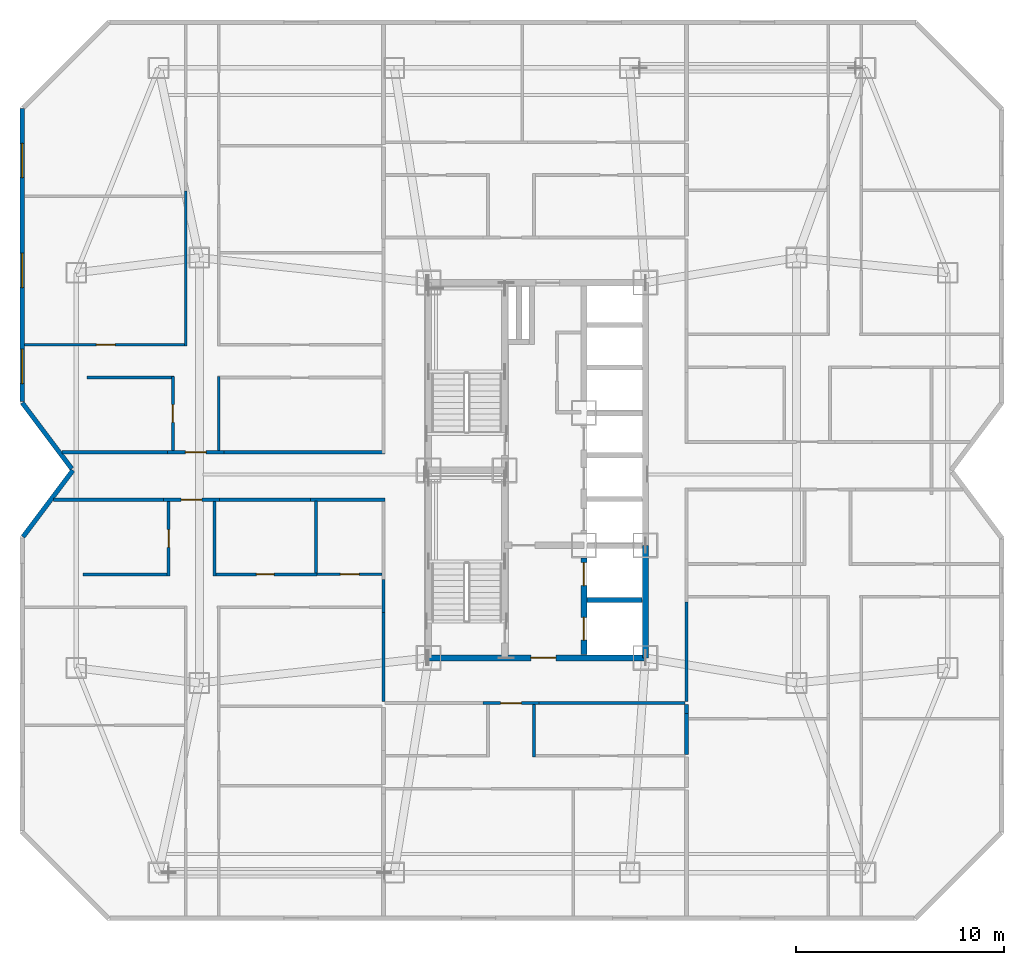
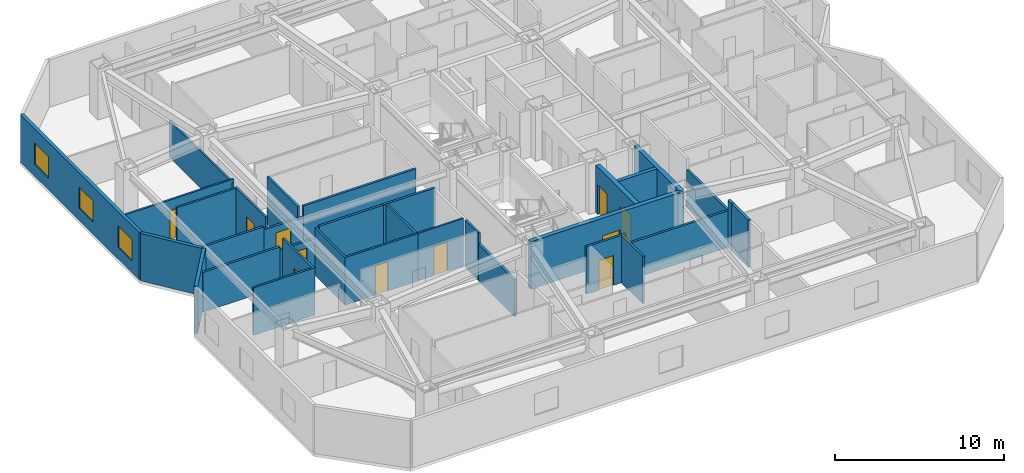
# One storey, part 5 of 10: 33 walls, 11 doors, 3 windows, 14 openings.
"""IFC4 building model written with IfcOpenShell, lengths in metres."""

from ifc_helpers import new_model, si_unit, direction, frame, frame_2d, origin, place, context, subcontext, project, spatial, rectangle, extrude, material, layer, layer_set, type_object, element, fill, save


model = new_model("IFC4")

# Units and contexts
model_context = context("Model", 3, precision=1e-05, world=origin(), true_north=direction((0.0, 1.0)))
body_context = subcontext(model_context, "Body", "Model", "MODEL_VIEW")
ifc_project = project(units=[si_unit("LENGTHUNIT", "METRE"), si_unit("AREAUNIT", "SQUARE_METRE"), si_unit("VOLUMEUNIT", "CUBIC_METRE"), si_unit("PLANEANGLEUNIT", "RADIAN"), si_unit("MASSUNIT", "GRAM", prefix="KILO")], contexts=[model_context])

# Site, building, storey
site_placement = place(None, origin())
site = spatial("IfcSite", under=ifc_project, at=site_placement, CompositionType="ELEMENT")
building_placement = place(site_placement, origin())
building = spatial("IfcBuilding", under=site, at=building_placement, Name="Khamvora Tower", CompositionType="ELEMENT")
storey_placement = place(building_placement, frame((0.0, 0.0, 94.60009765625)))
storey = spatial("IfcBuildingStorey", under=building, at=storey_placement, Name="L23", CompositionType="ELEMENT", Elevation=94.60009765625)

# Wall, opening, door
ifc_material_1 = material(Name="Concrete C50/60", Category="concrete")
ifc_layer_1 = layer(ifc_material_1, 0.300048828125)
ifc_layer_set_1 = layer_set([ifc_layer_1], Name="Concrete C50/60")
wall_type_1 = type_object("IfcWallType", Name="WAL-CORE-300", PredefinedType="SHEAR", material=ifc_layer_set_1)
wall_1_placement = place(storey_placement, frame((29.0, 19.0, 0.0), z_axis=(0.0, 0.0, 1.0), x_axis=(1.0, 0.0, 0.0)))
wall_1 = element("IfcWall", 1, at=wall_1_placement, inside=storey, type_object=wall_type_1, Name="L23 central core south wall", PredefinedType="SHEAR", context=body_context, shape_type="SweptSolid", body=[
    extrude(rectangle(XDim=10.39990234375, YDim=0.300048828125, at=frame_2d((5.199951171875, 0.0))), origin(), (0.0, 0.0, 1.0), 3.429931640625),
])
opening_1_placement = place(wall_1_placement, frame((4.89990234375, 0.0, 0.0)))
opening_1 = element("IfcOpeningElement", 2, at=opening_1_placement, cuts=wall_1, Name="Opening D-CR1", PredefinedType="OPENING", context=body_context, shape_type="SweptSolid", body=[
    extrude(rectangle(XDim=1.199951171875, YDim=2.14990234375, at=frame_2d((0.60009765625, 1.074951171875))), frame((0.0, 0.159912109375, 0.0), z_axis=(0.0, -1.0, 0.0), x_axis=(1.0, 0.0, 0.0)), (0.0, 0.0, 1.0), 0.320068359375),
])
ifc_material_2 = material(Name="Powder-Coated Steel and Hardwood Leaf", Category="steel")
door_type_1 = type_object("IfcDoorType", Name="DOR-CORR-1200", OperationType="NOTDEFINED", PredefinedType="DOOR", material=ifc_material_2)
door_1_placement = place(opening_1_placement, origin())
door_1 = element("IfcDoor", 3, at=door_1_placement, inside=storey, type_object=door_type_1, Name="L23 south core lobby to corridor fire door", OperationType="SINGLE_SWING_RIGHT", OverallHeight=2.14990234375, OverallWidth=1.199951171875, PredefinedType="DOOR", context=body_context, shape_type="SweptSolid", body=[
    extrude(rectangle(XDim=1.199951171875, YDim=2.14990234375, at=frame_2d((0.60009765625, 1.074951171875))), frame((0.0, 0.02490234375, 0.0), z_axis=(0.0, -1.0, 0.0), x_axis=(1.0, 0.0, 0.0)), (0.0, 0.0, 1.0), 0.050048828125),
])
fill(opening_1, door_1)

# Wall
wall_2_placement = place(storey_placement, frame((39.39990234375, 19.0, 0.0), z_axis=(0.0, 0.0, 1.0), x_axis=(0.0, 1.0, 0.0)))
element("IfcWall", 4, at=wall_2_placement, inside=storey, type_object=wall_type_1, Name="L23 central core east south wall", PredefinedType="SHEAR", context=body_context, shape_type="SweptSolid", body=[
    extrude(rectangle(XDim=5.39990234375, YDim=0.300048828125, at=frame_2d((2.699951171875, 0.0))), origin(), (0.0, 0.0, 1.0), 3.429931640625),
])

# Wall, openings, doors
wall_3_placement = place(storey_placement, frame((36.449951171875, 19.154052734375, 0.0), z_axis=(0.0, 0.0, 1.0), x_axis=(0.0, 1.0, 0.0)))
wall_3 = element("IfcWall", 5, at=wall_3_placement, inside=storey, type_object=wall_type_1, Name="L23 central core lift bank south wall", PredefinedType="SHEAR", context=body_context, shape_type="SweptSolid", body=[
    extrude(rectangle(XDim=4.64599609375, YDim=0.300048828125, at=frame_2d((2.322998046875, 0.0))), origin(), (0.0, 0.0, 1.0), 3.429931640625),
])
opening_2_placement = place(wall_3_placement, frame((0.696044921875, 0.0, 0.0)))
opening_2 = element("IfcOpeningElement", 6, at=opening_2_placement, cuts=wall_3, Name="Opening LD-FFL", PredefinedType="OPENING", context=body_context, shape_type="SweptSolid", body=[
    extrude(rectangle(XDim=1.10009765625, YDim=2.14990234375, at=frame_2d((0.550048828125, 1.074951171875))), frame((0.0, 0.159912109375, 0.0), z_axis=(0.0, -1.0, 0.0), x_axis=(1.0, 0.0, 0.0)), (0.0, 0.0, 1.0), 0.320068359375),
])
opening_3_placement = place(wall_3_placement, frame((3.31591796875, 0.0, 0.0)))
opening_3 = element("IfcOpeningElement", 7, at=opening_3_placement, cuts=wall_3, Name="Opening LD-FFL", PredefinedType="OPENING", context=body_context, shape_type="SweptSolid", body=[
    extrude(rectangle(XDim=1.10009765625, YDim=2.14990234375, at=frame_2d((0.550048828125, 1.074951171875))), frame((0.0, 0.159912109375, 0.0), z_axis=(0.0, -1.0, 0.0), x_axis=(1.0, 0.0, 0.0)), (0.0, 0.0, 1.0), 0.320068359375),
])
door_type_2 = type_object("IfcDoorType", Name="DOR-LIFT-1100", OperationType="SLIDING_TO_LEFT", PredefinedType="DOOR", material=ifc_material_2)
door_2_placement = place(opening_2_placement, origin())
door_2 = element("IfcDoor", 8, at=door_2_placement, inside=storey, type_object=door_type_2, Name="L23 lift landing sliding door FFL-01", OperationType="SLIDING_TO_LEFT", OverallHeight=2.14990234375, OverallWidth=1.10009765625, PredefinedType="DOOR", context=body_context, shape_type="SweptSolid", body=[
    extrude(rectangle(XDim=1.10009765625, YDim=2.14990234375, at=frame_2d((0.550048828125, 1.074951171875))), frame((0.0, 0.02490234375, 0.0), z_axis=(0.0, -1.0, 0.0), x_axis=(1.0, 0.0, 0.0)), (0.0, 0.0, 1.0), 0.050048828125),
])
fill(opening_2, door_2)
door_3_placement = place(opening_3_placement, origin())
door_3 = element("IfcDoor", 9, at=door_3_placement, inside=storey, type_object=door_type_2, Name="L23 lift landing sliding door FFL-02", OperationType="SLIDING_TO_LEFT", OverallHeight=2.14990234375, OverallWidth=1.10009765625, PredefinedType="DOOR", context=body_context, shape_type="SweptSolid", body=[
    extrude(rectangle(XDim=1.10009765625, YDim=2.14990234375, at=frame_2d((0.550048828125, 1.074951171875))), frame((0.0, 0.02490234375, 0.0), z_axis=(0.0, -1.0, 0.0), x_axis=(1.0, 0.0, 0.0)), (0.0, 0.0, 1.0), 0.050048828125),
])
fill(opening_3, door_3)

# Walls
ifc_material_3 = material(Name="Fire-Rated Drywall and Steel Stud", Category="steel")
ifc_layer_2 = layer(ifc_material_3, 0.14990234375)
ifc_layer_set_2 = layer_set([ifc_layer_2], Name="Fire-Rated Drywall and Steel Stud")
wall_type_2 = type_object("IfcWallType", Name="WAL-CORR-150", PredefinedType="STANDARD", material=ifc_layer_set_2)
wall_4_placement = place(storey_placement, frame((26.89794921875, 26.5849609375, 0.0), z_axis=(0.0, 0.0, 1.0), x_axis=(-1.0, 0.0, 0.0)))
element("IfcWall", 10, at=wall_4_placement, inside=storey, type_object=wall_type_2, Name="L23 interior partition wall 005", PredefinedType="STANDARD", context=body_context, shape_type="SweptSolid", body=[
    extrude(rectangle(XDim=3.556884765625, YDim=0.14990234375, at=frame_2d((1.7783203125, 0.0))), origin(), (0.0, 0.0, 1.0), 3.429931640625),
])
wall_5_placement = place(storey_placement, frame((26.8349609375, 21.176025390625, 0.0), z_axis=(0.0, 0.0, 1.0), x_axis=(0.0, 1.0, 0.0)))
element("IfcWall", 11, at=wall_5_placement, inside=storey, type_object=wall_type_2, Name="L23 interior partition wall 006", PredefinedType="STANDARD", context=body_context, shape_type="SweptSolid", body=[
    extrude(rectangle(XDim=1.580078125, YDim=0.14990234375, at=frame_2d((0.7900390625, 0.0))), origin(), (0.0, 0.0, 1.0), 3.429931640625),
])

# Wall, opening, door
wall_6_placement = place(storey_placement, frame((18.97509765625, 26.5849609375, 0.0), z_axis=(0.0, 0.0, 1.0), x_axis=(-1.0, 0.0, 0.0)))
wall_6 = element("IfcWall", 12, at=wall_6_placement, inside=storey, type_object=wall_type_2, Name="L23 interior partition wall 007", PredefinedType="STANDARD", context=body_context, shape_type="SweptSolid", body=[
    extrude(rectangle(XDim=2.69921875, YDim=0.14990234375, at=frame_2d((1.349609375, 0.0))), origin(), (0.0, 0.0, 1.0), 2.64697265625),
])
opening_4_placement = place(wall_6_placement, frame((0.84912109375, 0.0, 0.0)))
opening_4 = element("IfcOpeningElement", 13, at=opening_4_placement, cuts=wall_6, Name="Opening D-U1", PredefinedType="OPENING", context=body_context, shape_type="SweptSolid", body=[
    extrude(rectangle(XDim=1.0, YDim=2.14990234375, at=frame_2d((0.5, 1.074951171875))), frame((0.0, 0.0849609375, 0.0), z_axis=(0.0, -1.0, 0.0), x_axis=(1.0, 0.0, 0.0)), (0.0, 0.0, 1.0), 0.169921875),
])
door_type_3 = type_object("IfcDoorType", Name="DOR-UNIT-1000", OperationType="NOTDEFINED", PredefinedType="DOOR", material=ifc_material_2)
door_4_placement = place(opening_4_placement, origin())
door_4 = element("IfcDoor", 14, at=door_4_placement, inside=storey, type_object=door_type_3, Name="L23 interior door COR-23WAH", OperationType="SINGLE_SWING_LEFT", OverallHeight=2.14990234375, OverallWidth=1.0, PredefinedType="DOOR", context=body_context, shape_type="SweptSolid", body=[
    extrude(rectangle(XDim=1.0, YDim=2.14990234375, at=frame_2d((0.5, 1.074951171875))), frame((0.0, 0.02490234375, 0.0), z_axis=(0.0, -1.0, 0.0), x_axis=(1.0, 0.0, 0.0)), (0.0, 0.0, 1.0), 0.050048828125),
])
fill(opening_4, door_4)

# Walls
wall_7_placement = place(storey_placement, frame((16.27587890625, 26.5849609375, 0.0), z_axis=(0.0, 0.0, 1.0), x_axis=(-1.0, 0.0, 0.0)))
element("IfcWall", 15, at=wall_7_placement, inside=storey, type_object=wall_type_2, Name="L23 interior partition wall 008", PredefinedType="STANDARD", context=body_context, shape_type="SweptSolid", body=[
    extrude(rectangle(XDim=5.27197265625, YDim=0.14990234375, at=frame_2d((2.635986328125, 0.0))), origin(), (0.0, 0.0, 1.0), 2.8759765625),
])
wall_8_placement = place(storey_placement, frame((23.341064453125, 26.5849609375, 0.0), z_axis=(0.0, 0.0, 1.0), x_axis=(-1.0, 0.0, 0.0)))
element("IfcWall", 16, at=wall_8_placement, inside=storey, type_object=wall_type_2, Name="L23 interior partition wall 009", PredefinedType="STANDARD", context=body_context, shape_type="SweptSolid", body=[
    extrude(rectangle(XDim=4.365966796875, YDim=0.14990234375, at=frame_2d((2.18310546875, 0.0))), origin(), (0.0, 0.0, 1.0), 3.429931640625),
])
wall_9_placement = place(storey_placement, frame((26.8349609375, 16.89990234375, 0.0), z_axis=(0.0, 0.0, 1.0), x_axis=(0.0, 1.0, 0.0)))
element("IfcWall", 17, at=wall_9_placement, inside=storey, type_object=wall_type_2, Name="L23 interior partition wall 010", PredefinedType="STANDARD", context=body_context, shape_type="SweptSolid", body=[
    extrude(rectangle(XDim=4.276123046875, YDim=0.14990234375, at=frame_2d((2.13818359375, 0.0))), origin(), (0.0, 0.0, 1.0), 2.64697265625),
])

# Wall, opening, door
wall_10_placement = place(storey_placement, frame((16.48291015625, 28.864990234375, 0.0), z_axis=(0.0, 0.0, 1.0), x_axis=(1.0, 0.0, 0.0)))
wall_10 = element("IfcWall", 18, at=wall_10_placement, inside=storey, type_object=wall_type_2, Name="L23 interior partition wall 011", PredefinedType="STANDARD", context=body_context, shape_type="SweptSolid", body=[
    extrude(rectangle(XDim=2.697998046875, YDim=0.14990234375, at=frame_2d((1.34912109375, 0.0))), origin(), (0.0, 0.0, 1.0), 2.64697265625),
])
opening_5_placement = place(wall_10_placement, frame((0.84912109375, 0.0, 0.0)))
opening_5 = element("IfcOpeningElement", 19, at=opening_5_placement, cuts=wall_10, Name="Opening D-U1", PredefinedType="OPENING", context=body_context, shape_type="SweptSolid", body=[
    extrude(rectangle(XDim=1.0, YDim=2.14990234375, at=frame_2d((0.5, 1.074951171875))), frame((0.0, 0.0849609375, 0.0), z_axis=(0.0, -1.0, 0.0), x_axis=(1.0, 0.0, 0.0)), (0.0, 0.0, 1.0), 0.169921875),
])
door_5_placement = place(opening_5_placement, origin())
door_5 = element("IfcDoor", 20, at=door_5_placement, inside=storey, type_object=door_type_3, Name="L23 interior door COR-23WBH", OperationType="SINGLE_SWING_RIGHT", OverallHeight=2.14990234375, OverallWidth=1.0, PredefinedType="DOOR", context=body_context, shape_type="SweptSolid", body=[
    extrude(rectangle(XDim=1.0, YDim=2.14990234375, at=frame_2d((0.5, 1.074951171875))), frame((0.0, 0.02490234375, 0.0), z_axis=(0.0, -1.0, 0.0), x_axis=(1.0, 0.0, 0.0)), (0.0, 0.0, 1.0), 0.050048828125),
])
fill(opening_5, door_5)

# Walls
wall_11_placement = place(storey_placement, frame((11.4169921875, 28.864990234375, 0.0), z_axis=(0.0, 0.0, 1.0), x_axis=(1.0, 0.0, 0.0)))
element("IfcWall", 21, at=wall_11_placement, inside=storey, type_object=wall_type_2, Name="L23 interior partition wall 013", PredefinedType="STANDARD", context=body_context, shape_type="SweptSolid", body=[
    extrude(rectangle(XDim=5.06591796875, YDim=0.14990234375, at=frame_2d((2.532958984375, 0.0))), origin(), (0.0, 0.0, 1.0), 2.8759765625),
])
wall_12_placement = place(storey_placement, frame((19.180908203125, 28.864990234375, 0.0), z_axis=(0.0, 0.0, 1.0), x_axis=(1.0, 0.0, 0.0)))
element("IfcWall", 22, at=wall_12_placement, inside=storey, type_object=wall_type_2, Name="L23 interior partition wall 014", PredefinedType="STANDARD", context=body_context, shape_type="SweptSolid", body=[
    extrude(rectangle(XDim=7.718994140625, YDim=0.14990234375, at=frame_2d((3.859375, 0.0))), origin(), (0.0, 0.0, 1.0), 3.429931640625),
])

# Wall, opening, door
wall_13_placement = place(storey_placement, frame((34.299072265625, 16.8349609375, 0.0), z_axis=(0.0, 0.0, 1.0), x_axis=(-1.0, 0.0, 0.0)))
wall_13 = element("IfcWall", 23, at=wall_13_placement, inside=storey, type_object=wall_type_2, Name="L23 interior partition wall 018", PredefinedType="STANDARD", context=body_context, shape_type="SweptSolid", body=[
    extrude(rectangle(XDim=2.697998046875, YDim=0.14990234375, at=frame_2d((1.34912109375, 0.0))), origin(), (0.0, 0.0, 1.0), 3.429931640625),
])
opening_6_placement = place(wall_13_placement, frame((0.84912109375, 0.0, 0.0)))
opening_6 = element("IfcOpeningElement", 24, at=opening_6_placement, cuts=wall_13, Name="Opening D-U1", PredefinedType="OPENING", context=body_context, shape_type="SweptSolid", body=[
    extrude(rectangle(XDim=1.0, YDim=2.14990234375, at=frame_2d((0.5, 1.074951171875))), frame((0.0, 0.0849609375, 0.0), z_axis=(0.0, -1.0, 0.0), x_axis=(1.0, 0.0, 0.0)), (0.0, 0.0, 1.0), 0.169921875),
])
door_6_placement = place(opening_6_placement, origin())
door_6 = element("IfcDoor", 25, at=door_6_placement, inside=storey, type_object=door_type_3, Name="L23 interior door COR-23SAH", OperationType="SINGLE_SWING_LEFT", OverallHeight=2.14990234375, OverallWidth=1.0, PredefinedType="DOOR", context=body_context, shape_type="SweptSolid", body=[
    extrude(rectangle(XDim=1.0, YDim=2.14990234375, at=frame_2d((0.5, 1.074951171875))), frame((0.0, 0.02490234375, 0.0), z_axis=(0.0, -1.0, 0.0), x_axis=(1.0, 0.0, 0.0)), (0.0, 0.0, 1.0), 0.050048828125),
])
fill(opening_6, door_6)

# Walls
wall_14_placement = place(storey_placement, frame((41.300048828125, 16.8349609375, 0.0), z_axis=(0.0, 0.0, 1.0), x_axis=(-1.0, 0.0, 0.0)))
element("IfcWall", 26, at=wall_14_placement, inside=storey, type_object=wall_type_2, Name="L23 interior partition wall 020", PredefinedType="STANDARD", context=body_context, shape_type="SweptSolid", body=[
    extrude(rectangle(XDim=7.0009765625, YDim=0.14990234375, at=frame_2d((3.50048828125, 0.0))), origin(), (0.0, 0.0, 1.0), 2.64697265625),
])
wall_15_placement = place(storey_placement, frame((41.364990234375, 21.676025390625, 0.0), z_axis=(0.0, 0.0, 1.0), x_axis=(0.0, -1.0, 0.0)))
element("IfcWall", 27, at=wall_15_placement, inside=storey, type_object=wall_type_2, Name="L23 interior partition wall 029", PredefinedType="STANDARD", context=body_context, shape_type="SweptSolid", body=[
    extrude(rectangle(XDim=4.776123046875, YDim=0.14990234375, at=frame_2d((2.38818359375, 0.0))), origin(), (0.0, 0.0, 1.0), 2.64697265625),
])
ifc_material_4 = material(Name="Acoustic Double-Stud Fire Wall", Category="gypsum")
ifc_layer_3 = layer(ifc_material_4, 0.179931640625)
ifc_layer_set_3 = layer_set([ifc_layer_3], Name="Acoustic Double-Stud Fire Wall")
wall_type_3 = type_object("IfcWallType", Name="WAL-CORR-180", PredefinedType="STANDARD", material=ifc_layer_set_3)
wall_16_placement = place(storey_placement, frame((41.364990234375, 16.337890625, 0.0), z_axis=(0.0, 0.0, 1.0), x_axis=(0.0, -1.0, 0.0)))
element("IfcWall", 28, at=wall_16_placement, inside=storey, type_object=wall_type_3, Name="L23 interior partition wall 082", PredefinedType="STANDARD", context=body_context, shape_type="SweptSolid", body=[
    extrude(rectangle(XDim=1.9677734375, YDim=0.179931640625, at=frame_2d((0.98388671875, 0.0))), origin(), (0.0, 0.0, 1.0), 3.429931640625),
])
wall_17_placement = place(storey_placement, frame((41.364990234375, 16.77001953125, 0.0), z_axis=(0.0, 0.0, 1.0), x_axis=(0.0, -1.0, 0.0)))
element("IfcWall", 29, at=wall_17_placement, inside=storey, type_object=wall_type_3, Name="L23 interior partition wall 083", PredefinedType="STANDARD", context=body_context, shape_type="SweptSolid", body=[
    extrude(rectangle(XDim=0.43212890625, YDim=0.179931640625, at=frame_2d((0.216064453125, 0.0))), origin(), (0.0, 0.0, 1.0), 3.429931640625),
])
ifc_material_5 = material(Name="Precast concrete C40/50", Category="concrete")
ifc_layer_4 = layer(ifc_material_5, 0.219970703125)
ifc_layer_set_4 = layer_set([ifc_layer_4], Name="Precast concrete C40/50")
wall_type_4 = type_object("IfcWallType", Name="WAL-EXT-220", PredefinedType="STANDARD", material=ifc_layer_set_4)
wall_18_placement = place(storey_placement, frame((9.5439453125, 24.80810546875, 0.0), z_axis=(0.0, 0.0, 1.0), x_axis=(0.600019580308, 0.799985314394, 0.0)))
element("IfcWall", 30, at=wall_18_placement, inside=storey, type_object=wall_type_4, Name="L23 exterior facade wall 03.1", PredefinedType="STANDARD", context=body_context, shape_type="SweptSolid", body=[
    extrude(rectangle(XDim=3.989990234375, YDim=0.219970703125, at=frame_2d((1.9951171875, 0.0))), origin(), (0.0, 0.0, 1.0), 3.429931640625),
])
wall_19_placement = place(storey_placement, frame((11.881103515625, 28.076904296875, 0.0), z_axis=(0.0, 0.0, 1.0), x_axis=(-0.600158184825, 0.799881336942, 0.0)))
element("IfcWall", 31, at=wall_19_placement, inside=storey, type_object=wall_type_4, Name="L23 exterior facade wall 04.1", PredefinedType="STANDARD", context=body_context, shape_type="SweptSolid", body=[
    extrude(rectangle(XDim=3.95068359375, YDim=0.219970703125, at=frame_2d((1.975341796875, 0.0))), origin(), (0.0, 0.0, 1.0), 3.429931640625),
])

# Wall, openings, windows
wall_20_placement = place(storey_placement, frame((9.510009765625, 31.29296875, 0.0), z_axis=(0.0, 0.0, 1.0), x_axis=(0.0, 1.0, 0.0)))
wall_20 = element("IfcWall", 32, at=wall_20_placement, inside=storey, type_object=wall_type_4, Name="L23 exterior facade wall 05.1", PredefinedType="STANDARD", context=body_context, shape_type="SweptSolid", body=[
    extrude(rectangle(XDim=14.06103515625, YDim=0.219970703125, at=frame_2d((7.030517578125, 0.0))), origin(), (0.0, 0.0, 1.0), 3.429931640625),
])
opening_7_placement = place(wall_20_placement, frame((0.866943359375, 0.0, 0.85009765625)))
opening_7 = element("IfcOpeningElement", 33, at=opening_7_placement, cuts=wall_20, Name="Opening WN-06", PredefinedType="OPENING", context=body_context, shape_type="SweptSolid", body=[
    extrude(rectangle(XDim=1.64990234375, YDim=1.550048828125, at=frame_2d((0.824951171875, 0.77490234375))), frame((0.0, 0.119873046875, 0.0), z_axis=(0.0, -1.0, 0.0), x_axis=(1.0, 0.0, 0.0)), (0.0, 0.0, 1.0), 0.239990234375),
])
opening_8_placement = place(wall_20_placement, frame((5.470947265625, 0.0, 0.85009765625)))
opening_8 = element("IfcOpeningElement", 34, at=opening_8_placement, cuts=wall_20, Name="Opening WN-06", PredefinedType="OPENING", context=body_context, shape_type="SweptSolid", body=[
    extrude(rectangle(XDim=1.64990234375, YDim=1.550048828125, at=frame_2d((0.824951171875, 0.77490234375))), frame((0.0, 0.119873046875, 0.0), z_axis=(0.0, -1.0, 0.0), x_axis=(1.0, 0.0, 0.0)), (0.0, 0.0, 1.0), 0.239990234375),
])
opening_9_placement = place(wall_20_placement, frame((10.742919921875, 0.0, 0.85009765625)))
opening_9 = element("IfcOpeningElement", 35, at=opening_9_placement, cuts=wall_20, Name="Opening WN-06", PredefinedType="OPENING", context=body_context, shape_type="SweptSolid", body=[
    extrude(rectangle(XDim=1.64990234375, YDim=1.550048828125, at=frame_2d((0.824951171875, 0.77490234375))), frame((0.0, 0.119873046875, 0.0), z_axis=(0.0, -1.0, 0.0), x_axis=(1.0, 0.0, 0.0)), (0.0, 0.0, 1.0), 0.239990234375),
])
ifc_material_6 = material(Name="Low-E Laminated Double Glazing", Category="glass")
window_type = type_object("IfcWindowType", Name="WIN-VIS-1650x1550", PartitioningType="SINGLE_PANEL", PredefinedType="WINDOW", material=ifc_material_6)
window_1_placement = place(opening_7_placement, origin())
window_1 = element("IfcWindow", 36, at=window_1_placement, inside=storey, type_object=window_type, Name="L23 vision window 05.1.01", OverallHeight=1.550048828125, OverallWidth=1.64990234375, PartitioningType="SINGLE_PANEL", PredefinedType="WINDOW", context=body_context, shape_type="SweptSolid", body=[
    extrude(rectangle(XDim=1.64990234375, YDim=1.550048828125, at=frame_2d((0.824951171875, 0.77490234375))), frame((0.0, 0.030029296875, 0.0), z_axis=(0.0, -1.0, 0.0), x_axis=(1.0, 0.0, 0.0)), (0.0, 0.0, 1.0), 0.06005859375),
])
fill(opening_7, window_1)
window_2_placement = place(opening_8_placement, origin())
window_2 = element("IfcWindow", 37, at=window_2_placement, inside=storey, type_object=window_type, Name="L23 vision window 05.1.02", OverallHeight=1.550048828125, OverallWidth=1.64990234375, PartitioningType="SINGLE_PANEL", PredefinedType="WINDOW", context=body_context, shape_type="SweptSolid", body=[
    extrude(rectangle(XDim=1.64990234375, YDim=1.550048828125, at=frame_2d((0.824951171875, 0.77490234375))), frame((0.0, 0.030029296875, 0.0), z_axis=(0.0, -1.0, 0.0), x_axis=(1.0, 0.0, 0.0)), (0.0, 0.0, 1.0), 0.06005859375),
])
fill(opening_8, window_2)
window_3_placement = place(opening_9_placement, origin())
window_3 = element("IfcWindow", 38, at=window_3_placement, inside=storey, type_object=window_type, Name="L23 vision window 05.1.03", OverallHeight=1.550048828125, OverallWidth=1.64990234375, PartitioningType="SINGLE_PANEL", PredefinedType="WINDOW", context=body_context, shape_type="SweptSolid", body=[
    extrude(rectangle(XDim=1.64990234375, YDim=1.550048828125, at=frame_2d((0.824951171875, 0.77490234375))), frame((0.0, 0.030029296875, 0.0), z_axis=(0.0, -1.0, 0.0), x_axis=(1.0, 0.0, 0.0)), (0.0, 0.0, 1.0), 0.06005859375),
])
fill(opening_9, window_3)

# Wall, opening, door
ifc_material_7 = material(Name="Gypsum Plasterboard Partition", Category="gypsum")
ifc_layer_5 = layer(ifc_material_7, 0.1201171875)
ifc_layer_set_5 = layer_set([ifc_layer_5], Name="Gypsum Plasterboard Partition")
wall_type_5 = type_object("IfcWallType", Name="WAL-PART-120", PredefinedType="PARTITIONING", material=ifc_layer_set_5)
wall_21_placement = place(storey_placement, frame((26.77001953125, 23.0048828125, 0.0), z_axis=(0.0, 0.0, 1.0), x_axis=(-1.0, 0.0, 0.0)))
wall_21 = element("IfcWall", 39, at=wall_21_placement, inside=storey, type_object=wall_type_5, Name="L23 interior partition wall 037", PredefinedType="PARTITIONING", context=body_context, shape_type="SweptSolid", body=[
    extrude(rectangle(XDim=3.114013671875, YDim=0.1201171875, at=frame_2d((1.55712890625, 0.0))), origin(), (0.0, 0.0, 1.0), 3.429931640625),
])
opening_10_placement = place(wall_21_placement, frame((1.10693359375, 0.0, 0.0)))
opening_10 = element("IfcOpeningElement", 40, at=opening_10_placement, cuts=wall_21, Name="Opening D-RM1", PredefinedType="OPENING", context=body_context, shape_type="SweptSolid", body=[
    extrude(rectangle(XDim=0.89990234375, YDim=2.10009765625, at=frame_2d((0.449951171875, 1.050048828125))), frame((0.0, 0.070068359375, 0.0), z_axis=(0.0, -1.0, 0.0), x_axis=(1.0, 0.0, 0.0)), (0.0, 0.0, 1.0), 0.14013671875),
])
door_type_4 = type_object("IfcDoorType", Name="DOR-ROOM-900", OperationType="NOTDEFINED", PredefinedType="DOOR", material=ifc_material_2)
door_7_placement = place(opening_10_placement, origin())
door_7 = element("IfcDoor", 41, at=door_7_placement, inside=storey, type_object=door_type_4, Name="L23 interior door 23WAW2-23WAH", OperationType="SINGLE_SWING_LEFT", OverallHeight=2.10009765625, OverallWidth=0.89990234375, PredefinedType="DOOR", context=body_context, shape_type="SweptSolid", body=[
    extrude(rectangle(XDim=0.89990234375, YDim=2.10009765625, at=frame_2d((0.449951171875, 1.050048828125))), frame((0.0, 0.02490234375, 0.0), z_axis=(0.0, -1.0, 0.0), x_axis=(1.0, 0.0, 0.0)), (0.0, 0.0, 1.0), 0.050048828125),
])
fill(opening_10, door_7)

wall_22_placement = place(storey_placement, frame((9.612060546875, 34.02490234375, 0.0), z_axis=(0.0, 0.0, 1.0), x_axis=(1.0, 0.0, 0.0)))
wall_22 = element("IfcWall", 42, at=wall_22_placement, inside=storey, type_object=wall_type_5, Name="L23 interior partition wall 061", PredefinedType="PARTITIONING", context=body_context, shape_type="SweptSolid", body=[
    extrude(rectangle(XDim=7.807861328125, YDim=0.1201171875, at=frame_2d((3.90380859375, 0.0))), origin(), (0.0, 0.0, 1.0), 2.8759765625),
])
opening_11_placement = place(wall_22_placement, frame((3.4541015625, 0.0, 0.0)))
opening_11 = element("IfcOpeningElement", 43, at=opening_11_placement, cuts=wall_22, Name="Opening D-RM1", PredefinedType="OPENING", context=body_context, shape_type="SweptSolid", body=[
    extrude(rectangle(XDim=0.89990234375, YDim=2.10009765625, at=frame_2d((0.449951171875, 1.050048828125))), frame((0.0, 0.070068359375, 0.0), z_axis=(0.0, -1.0, 0.0), x_axis=(1.0, 0.0, 0.0)), (0.0, 0.0, 1.0), 0.14013671875),
])
door_8_placement = place(opening_11_placement, origin())
door_8 = element("IfcDoor", 44, at=door_8_placement, inside=storey, type_object=door_type_4, Name="L23 interior door 23WBH-23WBR1", OperationType="SINGLE_SWING_RIGHT", OverallHeight=2.10009765625, OverallWidth=0.89990234375, PredefinedType="DOOR", context=body_context, shape_type="SweptSolid", body=[
    extrude(rectangle(XDim=0.89990234375, YDim=2.10009765625, at=frame_2d((0.449951171875, 1.050048828125))), frame((0.0, 0.02490234375, 0.0), z_axis=(0.0, -1.0, 0.0), x_axis=(1.0, 0.0, 0.0)), (0.0, 0.0, 1.0), 0.050048828125),
])
fill(opening_11, door_8)

# Walls
wall_23_placement = place(storey_placement, frame((17.35498046875, 33.9599609375, 0.0), z_axis=(0.0, 0.0, 1.0), x_axis=(0.0, 1.0, 0.0)))
element("IfcWall", 45, at=wall_23_placement, inside=storey, type_object=wall_type_5, Name="L23 interior partition wall 062", PredefinedType="PARTITIONING", context=body_context, shape_type="SweptSolid", body=[
    extrude(rectangle(XDim=7.442138671875, YDim=0.1201171875, at=frame_2d((3.72119140625, 0.0))), origin(), (0.0, 0.0, 1.0), 2.64697265625),
])
ifc_material_8 = material(Name="Concrete C40/50", Category="concrete")
ifc_layer_6 = layer(ifc_material_8, 0.25)
ifc_layer_set_6 = layer_set([ifc_layer_6], Name="Concrete C40/50")
wall_type_6 = type_object("IfcWallType", Name="WAL-PODS-250", PredefinedType="SHEAR", material=ifc_layer_set_6)
wall_24_placement = place(storey_placement, frame((36.60400390625, 21.77490234375, 0.0), z_axis=(0.0, 0.0, 1.0), x_axis=(1.0, 0.0, 0.0)))
element("IfcWall", 46, at=wall_24_placement, inside=storey, type_object=wall_type_6, Name="L23 lift shaft divider wall FFL-01", PredefinedType="SHEAR", context=body_context, shape_type="SweptSolid", body=[
    extrude(rectangle(XDim=2.64208984375, YDim=0.25, at=frame_2d((1.321044921875, 0.0))), origin(), (0.0, 0.0, 1.0), 3.429931640625),
])
ifc_material_9 = material(Name="Moisture-Resistant Plasterboard Partition", Category="gypsum")
ifc_layer_7 = layer(ifc_material_9, 0.135009765625)
ifc_layer_set_7 = layer_set([ifc_layer_7], Name="Moisture-Resistant Plasterboard Partition")
wall_type_7 = type_object("IfcWallType", Name="WAL-WET-135", PredefinedType="PARTITIONING", material=ifc_layer_set_7)
wall_25_placement = place(storey_placement, frame((23.591064453125, 23.070068359375, 0.0), z_axis=(0.0, 0.0, 1.0), x_axis=(0.0, 1.0, 0.0)))
element("IfcWall", 47, at=wall_25_placement, inside=storey, type_object=wall_type_7, Name="L23 interior partition wall 038", PredefinedType="PARTITIONING", context=body_context, shape_type="SweptSolid", body=[
    extrude(rectangle(XDim=3.449951171875, YDim=0.135009765625, at=frame_2d((1.72509765625, 0.0))), origin(), (0.0, 0.0, 1.0), 3.429931640625),
])
wall_26_placement = place(storey_placement, frame((12.410888671875, 23.0048828125, 0.0), z_axis=(0.0, 0.0, 1.0), x_axis=(1.0, 0.0, 0.0)))
element("IfcWall", 48, at=wall_26_placement, inside=storey, type_object=wall_type_7, Name="L23 interior partition wall 039", PredefinedType="PARTITIONING", context=body_context, shape_type="SweptSolid", body=[
    extrude(rectangle(XDim=4.18017578125, YDim=0.135009765625, at=frame_2d((2.090087890625, 0.0))), origin(), (0.0, 0.0, 1.0), 3.429931640625),
])

# Wall, opening, door
wall_27_placement = place(storey_placement, frame((16.52587890625, 22.93994140625, 0.0), z_axis=(0.0, 0.0, 1.0), x_axis=(0.0, 1.0, 0.0)))
wall_27 = element("IfcWall", 49, at=wall_27_placement, inside=storey, type_object=wall_type_7, Name="L23 interior partition wall 040", PredefinedType="PARTITIONING", context=body_context, shape_type="SweptSolid", body=[
    extrude(rectangle(XDim=3.580078125, YDim=0.135009765625, at=frame_2d((1.7900390625, 0.0))), origin(), (0.0, 0.0, 1.0), 3.429931640625),
])
opening_12_placement = place(wall_27_placement, frame((1.364990234375, 0.0, 0.0)))
opening_12 = element("IfcOpeningElement", 50, at=opening_12_placement, cuts=wall_27, Name="Opening D-WC1", PredefinedType="OPENING", context=body_context, shape_type="SweptSolid", body=[
    extrude(rectangle(XDim=0.85009765625, YDim=2.10009765625, at=frame_2d((0.425048828125, 1.050048828125))), frame((0.0, 0.077392578125, 0.0), z_axis=(0.0, -1.0, 0.0), x_axis=(1.0, 0.0, 0.0)), (0.0, 0.0, 1.0), 0.155029296875),
])
door_type_5 = type_object("IfcDoorType", Name="DOR-WET-850", OperationType="NOTDEFINED", PredefinedType="DOOR", material=ifc_material_2)
door_9_placement = place(opening_12_placement, origin())
door_9 = element("IfcDoor", 51, at=door_9_placement, inside=storey, type_object=door_type_5, Name="L23 interior door 23WAH-23WAB", OperationType="SINGLE_SWING_RIGHT", OverallHeight=2.10009765625, OverallWidth=0.85009765625, PredefinedType="DOOR", context=body_context, shape_type="SweptSolid", body=[
    extrude(rectangle(XDim=0.85009765625, YDim=2.10009765625, at=frame_2d((0.425048828125, 1.050048828125))), frame((0.0, 0.02490234375, 0.0), z_axis=(0.0, -1.0, 0.0), x_axis=(1.0, 0.0, 0.0)), (0.0, 0.0, 1.0), 0.050048828125),
])
fill(opening_12, door_9)

# Wall
wall_28_placement = place(storey_placement, frame((18.72607421875, 26.52001953125, 0.0), z_axis=(0.0, 0.0, 1.0), x_axis=(0.0, -1.0, 0.0)))
element("IfcWall", 52, at=wall_28_placement, inside=storey, type_object=wall_type_7, Name="L23 interior partition wall 041", PredefinedType="PARTITIONING", context=body_context, shape_type="SweptSolid", body=[
    extrude(rectangle(XDim=3.580078125, YDim=0.135009765625, at=frame_2d((1.7900390625, 0.0))), origin(), (0.0, 0.0, 1.0), 3.429931640625),
])

# Wall, opening, door
wall_29_placement = place(storey_placement, frame((18.660888671875, 23.0048828125, 0.0), z_axis=(0.0, 0.0, 1.0), x_axis=(1.0, 0.0, 0.0)))
wall_29 = element("IfcWall", 53, at=wall_29_placement, inside=storey, type_object=wall_type_7, Name="L23 interior partition wall 042", PredefinedType="PARTITIONING", context=body_context, shape_type="SweptSolid", body=[
    extrude(rectangle(XDim=4.9951171875, YDim=0.135009765625, at=frame_2d((2.49755859375, 0.0))), origin(), (0.0, 0.0, 1.0), 3.429931640625),
])
opening_13_placement = place(wall_29_placement, frame((2.072998046875, 0.0, 0.0)))
opening_13 = element("IfcOpeningElement", 54, at=opening_13_placement, cuts=wall_29, Name="Opening D-RM2", PredefinedType="OPENING", context=body_context, shape_type="SweptSolid", body=[
    extrude(rectangle(XDim=0.85009765625, YDim=2.10009765625, at=frame_2d((0.425048828125, 1.050048828125))), frame((0.0, 0.077392578125, 0.0), z_axis=(0.0, -1.0, 0.0), x_axis=(1.0, 0.0, 0.0)), (0.0, 0.0, 1.0), 0.155029296875),
])
door_type_6 = type_object("IfcDoorType", Name="DOR-ROOM-850", OperationType="NOTDEFINED", PredefinedType="DOOR", material=ifc_material_2)
door_10_placement = place(opening_13_placement, origin())
door_10 = element("IfcDoor", 55, at=door_10_placement, inside=storey, type_object=door_type_6, Name="L23 interior door 23WAH-23WAK", OperationType="SINGLE_SWING_LEFT", OverallHeight=2.10009765625, OverallWidth=0.85009765625, PredefinedType="DOOR", context=body_context, shape_type="SweptSolid", body=[
    extrude(rectangle(XDim=0.85009765625, YDim=2.10009765625, at=frame_2d((0.425048828125, 1.050048828125))), frame((0.0, 0.02490234375, 0.0), z_axis=(0.0, -1.0, 0.0), x_axis=(1.0, 0.0, 0.0)), (0.0, 0.0, 1.0), 0.050048828125),
])
fill(opening_13, door_10)

wall_30_placement = place(storey_placement, frame((16.73193359375, 28.929931640625, 0.0), z_axis=(0.0, 0.0, 1.0), x_axis=(0.0, 1.0, 0.0)))
wall_30 = element("IfcWall", 56, at=wall_30_placement, inside=storey, type_object=wall_type_7, Name="L23 interior partition wall 057", PredefinedType="PARTITIONING", context=body_context, shape_type="SweptSolid", body=[
    extrude(rectangle(XDim=3.580078125, YDim=0.135009765625, at=frame_2d((1.7900390625, 0.0))), origin(), (0.0, 0.0, 1.0), 3.429931640625),
])
opening_14_placement = place(wall_30_placement, frame((1.364990234375, 0.0, 0.0)))
opening_14 = element("IfcOpeningElement", 57, at=opening_14_placement, cuts=wall_30, Name="Opening D-WC1", PredefinedType="OPENING", context=body_context, shape_type="SweptSolid", body=[
    extrude(rectangle(XDim=0.85009765625, YDim=2.10009765625, at=frame_2d((0.425048828125, 1.050048828125))), frame((0.0, 0.077392578125, 0.0), z_axis=(0.0, -1.0, 0.0), x_axis=(1.0, 0.0, 0.0)), (0.0, 0.0, 1.0), 0.155029296875),
])
door_11_placement = place(opening_14_placement, origin())
door_11 = element("IfcDoor", 58, at=door_11_placement, inside=storey, type_object=door_type_5, Name="L23 interior door 23WBH-23WBB", OperationType="SINGLE_SWING_RIGHT", OverallHeight=2.10009765625, OverallWidth=0.85009765625, PredefinedType="DOOR", context=body_context, shape_type="SweptSolid", body=[
    extrude(rectangle(XDim=0.85009765625, YDim=2.10009765625, at=frame_2d((0.425048828125, 1.050048828125))), frame((0.0, 0.02490234375, 0.0), z_axis=(0.0, -1.0, 0.0), x_axis=(1.0, 0.0, 0.0)), (0.0, 0.0, 1.0), 0.050048828125),
])
fill(opening_14, door_11)

# Walls
wall_31_placement = place(storey_placement, frame((16.797119140625, 32.445068359375, 0.0), z_axis=(0.0, 0.0, 1.0), x_axis=(-1.0, 0.0, 0.0)))
element("IfcWall", 59, at=wall_31_placement, inside=storey, type_object=wall_type_7, Name="L23 interior partition wall 058", PredefinedType="PARTITIONING", context=body_context, shape_type="SweptSolid", body=[
    extrude(rectangle(XDim=4.17919921875, YDim=0.135009765625, at=frame_2d((2.089599609375, 0.0))), origin(), (0.0, 0.0, 1.0), 3.429931640625),
])
wall_32_placement = place(storey_placement, frame((18.931884765625, 32.510009765625, 0.0), z_axis=(0.0, 0.0, 1.0), x_axis=(0.0, -1.0, 0.0)))
element("IfcWall", 60, at=wall_32_placement, inside=storey, type_object=wall_type_7, Name="L23 interior partition wall 060", PredefinedType="PARTITIONING", context=body_context, shape_type="SweptSolid", body=[
    extrude(rectangle(XDim=3.580078125, YDim=0.135009765625, at=frame_2d((1.7900390625, 0.0))), origin(), (0.0, 0.0, 1.0), 3.429931640625),
])
wall_33_placement = place(storey_placement, frame((34.050048828125, 16.77001953125, 0.0), z_axis=(0.0, 0.0, 1.0), x_axis=(0.0, -1.0, 0.0)))
element("IfcWall", 61, at=wall_33_placement, inside=storey, type_object=wall_type_7, Name="L23 interior partition wall 077", PredefinedType="PARTITIONING", context=body_context, shape_type="SweptSolid", body=[
    extrude(rectangle(XDim=2.530029296875, YDim=0.135009765625, at=frame_2d((1.26513671875, 0.0))), origin(), (0.0, 0.0, 1.0), 3.429931640625),
])

save(model, "model.ifc")
